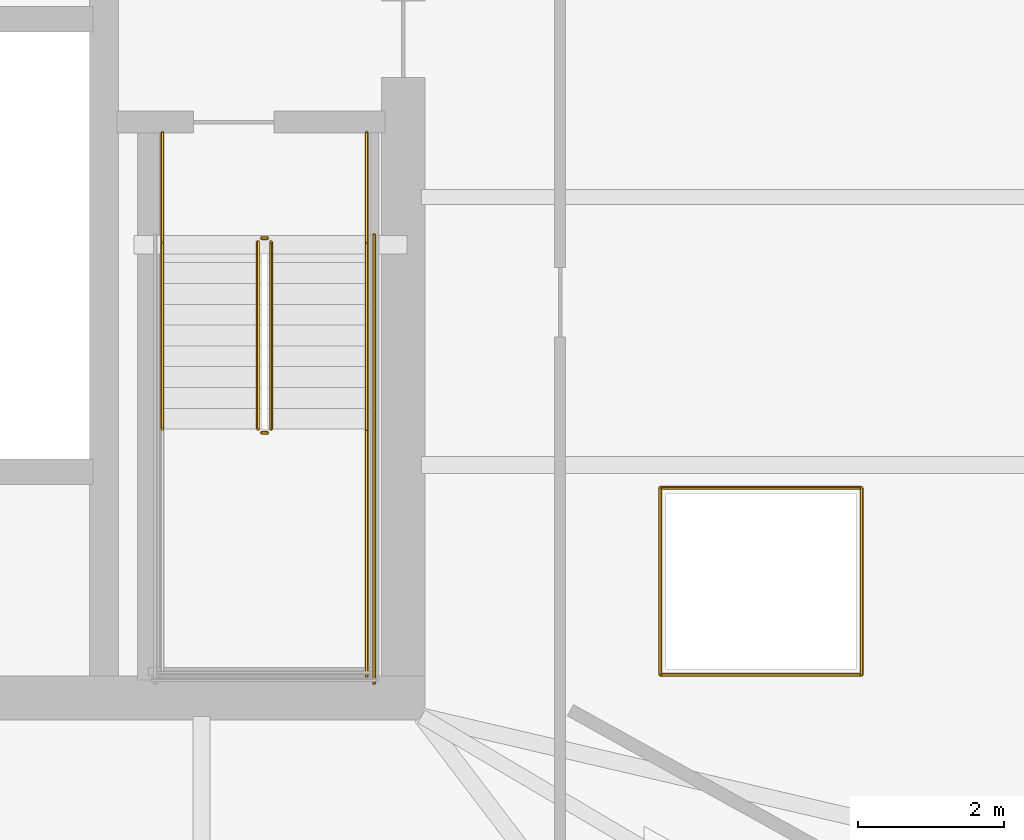
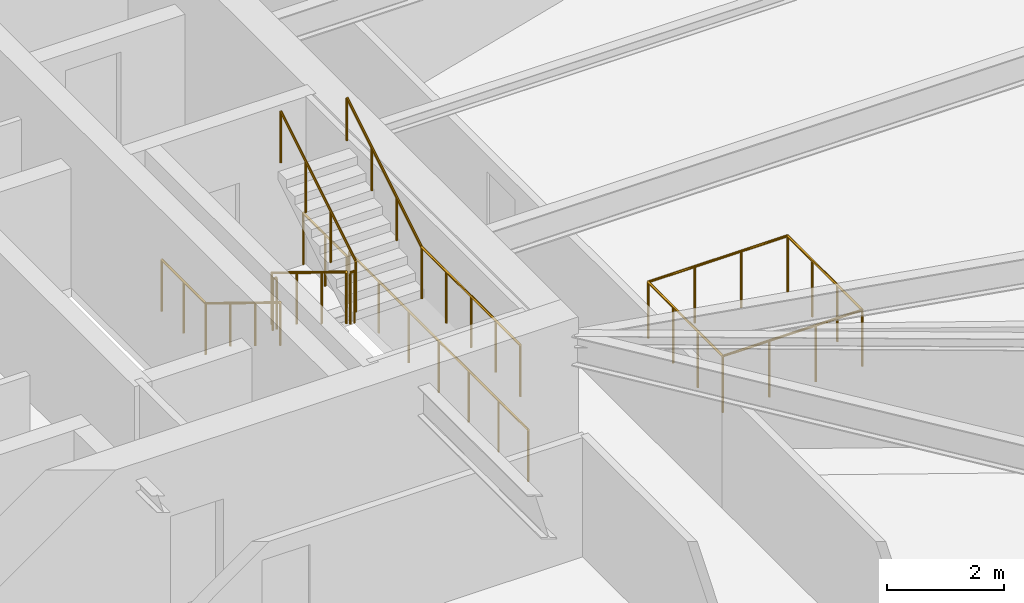
# One storey, part 24 of 25: 14 railings.
"""IFC4 building model written with IfcOpenShell, lengths in metres."""

from ifc_helpers import new_model, si_unit, direction, frame, origin, origin_2d, place, context, subcontext, project, spatial, circle, extrude, material, type_object, element, save


model = new_model("IFC4")

# Units and contexts
model_context = context("Model", 3, precision=1e-05, world=origin(), true_north=direction((0.0, 1.0)))
body_context = subcontext(model_context, "Body", "Model", "MODEL_VIEW")
ifc_project = project(units=[si_unit("LENGTHUNIT", "METRE"), si_unit("AREAUNIT", "SQUARE_METRE"), si_unit("VOLUMEUNIT", "CUBIC_METRE"), si_unit("PLANEANGLEUNIT", "RADIAN"), si_unit("MASSUNIT", "GRAM", prefix="KILO")], contexts=[model_context])

# Site, building, storey
site_placement = place(None, origin())
site = spatial("IfcSite", under=ifc_project, at=site_placement, CompositionType="ELEMENT")
building_placement = place(site_placement, origin())
building = spatial("IfcBuilding", under=site, at=building_placement, Name="Bramvorn Convention Spire", CompositionType="ELEMENT")
storey_placement = place(building_placement, frame((0.0, 0.0, 93.89990234375)))
storey = spatial("IfcBuildingStorey", under=building, at=storey_placement, Name="L22", CompositionType="ELEMENT", Elevation=93.89990234375)

# Railings
ifc_material_1 = material(Name="Warm Bronze Perforated Metal & Glass Balustrade", Category="glass")
railing_type_1 = type_object("IfcRailingType", Name="RL-POD-BALUSTRADE-1200", PredefinedType="BALUSTRADE", material=ifc_material_1)
railing_1_placement = place(storey_placement, frame((52.52001953125, 19.1201171875, 0.0)))
element("IfcRailing", 1, at=railing_1_placement, inside=storey, type_object=railing_type_1, Name="L22 Feature atrium void balustrade 1", PredefinedType="BALUSTRADE", context=body_context, shape_type="SweptSolid", body=[
    extrude(circle(Radius=0.02392578125, at=origin_2d()), frame((0.0, 0.0, 1.17578125), z_axis=(1.0, 0.0, 0.0), x_axis=(0.0, 1.0, 0.0)), (0.0, 0.0, 1.0), 2.760009765625),
    extrude(circle(Radius=0.02099609375, at=origin_2d()), origin(), (0.0, 0.0, 1.0), 1.15185546875),
    extrude(circle(Radius=0.02099609375, at=origin_2d()), frame((0.919921875, 0.0, 0.0)), (0.0, 0.0, 1.0), 1.15185546875),
    extrude(circle(Radius=0.02099609375, at=origin_2d()), frame((1.840087890625, 0.0, 0.0)), (0.0, 0.0, 1.0), 1.15185546875),
    extrude(circle(Radius=0.02099609375, at=origin_2d()), frame((2.760009765625, 0.0, 0.0)), (0.0, 0.0, 1.0), 1.15185546875),
])
railing_2_placement = place(storey_placement, frame((55.280029296875, 19.1201171875, 0.0)))
element("IfcRailing", 2, at=railing_2_placement, inside=storey, type_object=railing_type_1, Name="L22 Feature atrium void balustrade 2", PredefinedType="BALUSTRADE", context=body_context, shape_type="SweptSolid", body=[
    extrude(circle(Radius=0.02392578125, at=origin_2d()), frame((0.0, 0.0, 1.17578125), z_axis=(0.0, 1.0, 0.0), x_axis=(-1.0, 0.0, 0.0)), (0.0, 0.0, 1.0), 2.559814453125),
    extrude(circle(Radius=0.02099609375, at=origin_2d()), origin(), (0.0, 0.0, 1.0), 1.15185546875),
    extrude(circle(Radius=0.02099609375, at=origin_2d()), frame((0.0, 0.853271484375, 0.0)), (0.0, 0.0, 1.0), 1.15185546875),
    extrude(circle(Radius=0.02099609375, at=origin_2d()), frame((0.0, 1.70654296875, 0.0)), (0.0, 0.0, 1.0), 1.15185546875),
    extrude(circle(Radius=0.02099609375, at=origin_2d()), frame((0.0, 2.559814453125, 0.0)), (0.0, 0.0, 1.0), 1.15185546875),
])
railing_3_placement = place(storey_placement, frame((55.280029296875, 21.679931640625, 0.0)))
element("IfcRailing", 3, at=railing_3_placement, inside=storey, type_object=railing_type_1, Name="L22 Feature atrium void balustrade 3", PredefinedType="BALUSTRADE", context=body_context, shape_type="SweptSolid", body=[
    extrude(circle(Radius=0.02392578125, at=origin_2d()), frame((0.0, 0.0, 1.17578125), z_axis=(-1.0, 0.0, 0.0), x_axis=(0.0, -1.0, 0.0)), (0.0, 0.0, 1.0), 2.760009765625),
    extrude(circle(Radius=0.02099609375, at=origin_2d()), origin(), (0.0, 0.0, 1.0), 1.15185546875),
    extrude(circle(Radius=0.02099609375, at=origin_2d()), frame((-0.919921875, 0.0, 0.0)), (0.0, 0.0, 1.0), 1.15185546875),
    extrude(circle(Radius=0.02099609375, at=origin_2d()), frame((-1.840087890625, 0.0, 0.0)), (0.0, 0.0, 1.0), 1.15185546875),
    extrude(circle(Radius=0.02099609375, at=origin_2d()), frame((-2.760009765625, 0.0, 0.0)), (0.0, 0.0, 1.0), 1.15185546875),
])
railing_4_placement = place(storey_placement, frame((52.52001953125, 21.679931640625, 0.0)))
element("IfcRailing", 4, at=railing_4_placement, inside=storey, type_object=railing_type_1, Name="L22 Feature atrium void balustrade 4", PredefinedType="BALUSTRADE", context=body_context, shape_type="SweptSolid", body=[
    extrude(circle(Radius=0.02392578125, at=origin_2d()), frame((0.0, 0.0, 1.17578125), z_axis=(0.0, -1.0, 0.0), x_axis=(1.0, 0.0, 0.0)), (0.0, 0.0, 1.0), 2.559814453125),
    extrude(circle(Radius=0.02099609375, at=origin_2d()), origin(), (0.0, 0.0, 1.0), 1.15185546875),
    extrude(circle(Radius=0.02099609375, at=origin_2d()), frame((0.0, -0.853271484375, 0.0)), (0.0, 0.0, 1.0), 1.15185546875),
    extrude(circle(Radius=0.02099609375, at=origin_2d()), frame((0.0, -1.70654296875, 0.0)), (0.0, 0.0, 1.0), 1.15185546875),
    extrude(circle(Radius=0.02099609375, at=origin_2d()), frame((0.0, -2.559814453125, 0.0)), (0.0, 0.0, 1.0), 1.15185546875),
])
ifc_material_2 = material(Name="Painted Steel Balustrade & Guardrail", Category="steel")
railing_type_2 = type_object("IfcRailingType", Name="RL-STAIR-GUARD-1100", PredefinedType="GUARDRAIL", material=ifc_material_2)
railing_5_placement = place(storey_placement, frame((47.010009765625, 25.050048828125, 0.175048828125)))
element("IfcRailing", 5, at=railing_5_placement, inside=storey, type_object=railing_type_2, Name="L22 ST2 stair guard 1", PredefinedType="GUARDRAIL", context=body_context, shape_type="SweptSolid", body=[
    extrude(circle(Radius=0.02392578125, at=origin_2d()), frame((0.0, 0.0, 1.076171875), z_axis=(0.0, -0.852173129349, 0.523259933127), x_axis=(1.0, 0.0, 0.0)), (0.0, 0.0, 1.0), 3.009765625),
    extrude(circle(Radius=0.02099609375, at=origin_2d()), origin(), (0.0, 0.0, 1.0), 1.052001953125),
    extrude(circle(Radius=0.02099609375, at=origin_2d()), frame((0.0, -0.85498046875, 0.52490234375)), (0.0, 0.0, 1.0), 1.052001953125),
    extrude(circle(Radius=0.02099609375, at=origin_2d()), frame((0.0, -1.7099609375, 1.050048828125)), (0.0, 0.0, 1.0), 1.052001953125),
    extrude(circle(Radius=0.02099609375, at=origin_2d()), frame((0.0, -2.56494140625, 1.574951171875)), (0.0, 0.0, 1.0), 1.052001953125),
])
railing_6_placement = place(storey_placement, frame((47.06005859375, 22.43505859375, 1.75)))
element("IfcRailing", 6, at=railing_6_placement, inside=storey, type_object=railing_type_2, Name="L22 ST2 stair guard 2", PredefinedType="GUARDRAIL", context=body_context, shape_type="SweptSolid", body=[
    extrude(circle(Radius=0.02392578125, at=origin_2d()), frame((0.0, 0.0, 1.076171875), z_axis=(1.0, 0.0, 0.0), x_axis=(0.0, 1.0, 0.0)), (0.0, 0.0, 1.0), 0.079833984375),
    extrude(circle(Radius=0.02099609375, at=origin_2d()), origin(), (0.0, 0.0, 1.0), 1.052001953125),
    extrude(circle(Radius=0.02099609375, at=origin_2d()), frame((0.079833984375, 0.0, 0.0)), (0.0, 0.0, 1.0), 1.052001953125),
])
railing_7_placement = place(storey_placement, frame((48.5, 22.485107421875, 1.75)))
element("IfcRailing", 7, at=railing_7_placement, inside=storey, type_object=railing_type_2, Name="L22 ST2 stair guard 4", PredefinedType="GUARDRAIL", context=body_context, shape_type="SweptSolid", body=[
    extrude(circle(Radius=0.02392578125, at=origin_2d()), frame((0.0, 0.0, 1.076171875), z_axis=(0.0, -1.0, 0.0), x_axis=(1.0, 0.0, 0.0)), (0.0, 0.0, 1.0), 3.385009765625),
    extrude(circle(Radius=0.02099609375, at=origin_2d()), origin(), (0.0, 0.0, 1.0), 1.052001953125),
    extrude(circle(Radius=0.02099609375, at=origin_2d()), frame((0.0, -0.84619140625, 0.0)), (0.0, 0.0, 1.0), 1.052001953125),
    extrude(circle(Radius=0.02099609375, at=origin_2d()), frame((0.0, -1.6923828125, 0.0)), (0.0, 0.0, 1.0), 1.052001953125),
    extrude(circle(Radius=0.02099609375, at=origin_2d()), frame((0.0, -2.538818359375, 0.0)), (0.0, 0.0, 1.0), 1.052001953125),
    extrude(circle(Radius=0.02099609375, at=origin_2d()), frame((0.0, -3.385009765625, 0.0)), (0.0, 0.0, 1.0), 1.052001953125),
])
railing_8_placement = place(storey_placement, frame((47.18994140625, 22.485107421875, 1.925048828125)))
element("IfcRailing", 8, at=railing_8_placement, inside=storey, type_object=railing_type_2, Name="L22 ST2 stair guard 6", PredefinedType="GUARDRAIL", context=body_context, shape_type="SweptSolid", body=[
    extrude(circle(Radius=0.02392578125, at=origin_2d()), frame((0.0, 0.0, 1.076171875), z_axis=(0.0, 0.852173129349, 0.523259933127), x_axis=(-1.0, 0.0, 0.0)), (0.0, 0.0, 1.0), 3.009765625),
    extrude(circle(Radius=0.02099609375, at=origin_2d()), origin(), (0.0, 0.0, 1.0), 1.052001953125),
    extrude(circle(Radius=0.02099609375, at=origin_2d()), frame((0.0, 0.85498046875, 0.52490234375)), (0.0, 0.0, 1.0), 1.052001953125),
    extrude(circle(Radius=0.02099609375, at=origin_2d()), frame((0.0, 1.7099609375, 1.050048828125)), (0.0, 0.0, 1.0), 1.052001953125),
    extrude(circle(Radius=0.02099609375, at=origin_2d()), frame((0.0, 2.56494140625, 1.574951171875)), (0.0, 0.0, 1.0), 1.052001953125),
])
railing_9_placement = place(storey_placement, frame((47.06005859375, 25.10009765625, 0.0)))
element("IfcRailing", 9, at=railing_9_placement, inside=storey, type_object=railing_type_2, Name="L22 ST2 stair guard 7", PredefinedType="GUARDRAIL", context=body_context, shape_type="SweptSolid", body=[
    extrude(circle(Radius=0.02392578125, at=origin_2d()), frame((0.0, 0.0, 1.076171875), z_axis=(1.0, 0.0, 0.0), x_axis=(0.0, 1.0, 0.0)), (0.0, 0.0, 1.0), 0.079833984375),
    extrude(circle(Radius=0.02099609375, at=origin_2d()), origin(), (0.0, 0.0, 1.0), 1.052001953125),
    extrude(circle(Radius=0.02099609375, at=origin_2d()), frame((0.079833984375, 0.0, 0.0)), (0.0, 0.0, 1.0), 1.052001953125),
])
for number, where, name in (
    (10, (45.699951171875, 26.550048828125, 0.0), "L22 ST2 stair guard 8"),
    (11, (48.5, 26.550048828125, 0.0), "L22 ST2 stair guard 9"),
):
    element("IfcRailing", number, at=place(storey_placement, frame(where)), inside=storey, type_object=railing_type_2, Name=name, PredefinedType="GUARDRAIL", context=body_context, shape_type="SweptSolid", body=[
        extrude(circle(Radius=0.02392578125, at=origin_2d()), frame((0.0, 0.0, 1.076171875), z_axis=(0.0, -1.0, 0.0), x_axis=(1.0, 0.0, 0.0)), (0.0, 0.0, 1.0), 1.5),
        extrude(circle(Radius=0.02099609375, at=origin_2d()), origin(), (0.0, 0.0, 1.0), 1.052001953125),
        extrude(circle(Radius=0.02099609375, at=origin_2d()), frame((0.0, -0.75, 0.0)), (0.0, 0.0, 1.0), 1.052001953125),
        extrude(circle(Radius=0.02099609375, at=origin_2d()), frame((0.0, -1.5, 0.0)), (0.0, 0.0, 1.0), 1.052001953125),
    ])
railing_10_placement = place(storey_placement, frame((48.60009765625, 25.14990234375, 0.0)))
element("IfcRailing", 12, at=railing_10_placement, inside=storey, type_object=railing_type_2, Name="L22 ST2 stair guard 11", PredefinedType="GUARDRAIL", context=body_context, shape_type="SweptSolid", body=[
    extrude(circle(Radius=0.02392578125, at=origin_2d()), frame((0.0, 0.0, 1.076171875), z_axis=(0.0, -1.0, 0.0), x_axis=(1.0, 0.0, 0.0)), (0.0, 0.0, 1.0), 6.14990234375),
    extrude(circle(Radius=0.02099609375, at=origin_2d()), origin(), (0.0, 0.0, 1.0), 1.052001953125),
    extrude(circle(Radius=0.02099609375, at=origin_2d()), frame((0.0, -1.02490234375, 0.0)), (0.0, 0.0, 1.0), 1.052001953125),
    extrude(circle(Radius=0.02099609375, at=origin_2d()), frame((0.0, -2.050048828125, 0.0)), (0.0, 0.0, 1.0), 1.052001953125),
    extrude(circle(Radius=0.02099609375, at=origin_2d()), frame((0.0, -3.074951171875, 0.0)), (0.0, 0.0, 1.0), 1.052001953125),
    extrude(circle(Radius=0.02099609375, at=origin_2d()), frame((0.0, -4.099853515625, 0.0)), (0.0, 0.0, 1.0), 1.052001953125),
    extrude(circle(Radius=0.02099609375, at=origin_2d()), frame((0.0, -5.125, 0.0)), (0.0, 0.0, 1.0), 1.052001953125),
    extrude(circle(Radius=0.02099609375, at=origin_2d()), frame((0.0, -6.14990234375, 0.0)), (0.0, 0.0, 1.0), 1.052001953125),
])
ifc_material_3 = material(Name="Brushed Bronze Tubular Handrail", Category="aluminium")
railing_type_3 = type_object("IfcRailingType", Name="RL-STAIR-HR-920", PredefinedType="HANDRAIL", material=ifc_material_3)
railing_11_placement = place(storey_placement, frame((45.699951171875, 25.050048828125, 0.175048828125)))
element("IfcRailing", 13, at=railing_11_placement, inside=storey, type_object=railing_type_3, Name="L22 ST2 stair handrail 1", PredefinedType="HANDRAIL", context=body_context, shape_type="SweptSolid", body=[
    extrude(circle(Radius=0.02392578125, at=origin_2d()), frame((0.0, 0.0, 0.89599609375), z_axis=(0.0, -0.852173129349, 0.523259933127), x_axis=(1.0, 0.0, 0.0)), (0.0, 0.0, 1.0), 3.009765625),
    extrude(circle(Radius=0.02099609375, at=origin_2d()), origin(), (0.0, 0.0, 1.0), 0.871826171875),
    extrude(circle(Radius=0.02099609375, at=origin_2d()), frame((0.0, -0.85498046875, 0.52490234375)), (0.0, 0.0, 1.0), 0.871826171875),
    extrude(circle(Radius=0.02099609375, at=origin_2d()), frame((0.0, -1.7099609375, 1.050048828125)), (0.0, 0.0, 1.0), 0.871826171875),
    extrude(circle(Radius=0.02099609375, at=origin_2d()), frame((0.0, -2.56494140625, 1.574951171875)), (0.0, 0.0, 1.0), 0.871826171875),
])
railing_12_placement = place(storey_placement, frame((48.5, 22.485107421875, 1.925048828125)))
element("IfcRailing", 14, at=railing_12_placement, inside=storey, type_object=railing_type_3, Name="L22 ST2 stair handrail 2", PredefinedType="HANDRAIL", context=body_context, shape_type="SweptSolid", body=[
    extrude(circle(Radius=0.02392578125, at=origin_2d()), frame((0.0, 0.0, 0.89599609375), z_axis=(0.0, 0.852173129349, 0.523259933127), x_axis=(-1.0, 0.0, 0.0)), (0.0, 0.0, 1.0), 3.009765625),
    extrude(circle(Radius=0.02099609375, at=origin_2d()), origin(), (0.0, 0.0, 1.0), 0.871826171875),
    extrude(circle(Radius=0.02099609375, at=origin_2d()), frame((0.0, 0.85498046875, 0.52490234375)), (0.0, 0.0, 1.0), 0.871826171875),
    extrude(circle(Radius=0.02099609375, at=origin_2d()), frame((0.0, 1.7099609375, 1.050048828125)), (0.0, 0.0, 1.0), 0.871826171875),
    extrude(circle(Radius=0.02099609375, at=origin_2d()), frame((0.0, 2.56494140625, 1.574951171875)), (0.0, 0.0, 1.0), 0.871826171875),
])

save(model, "model.ifc")
